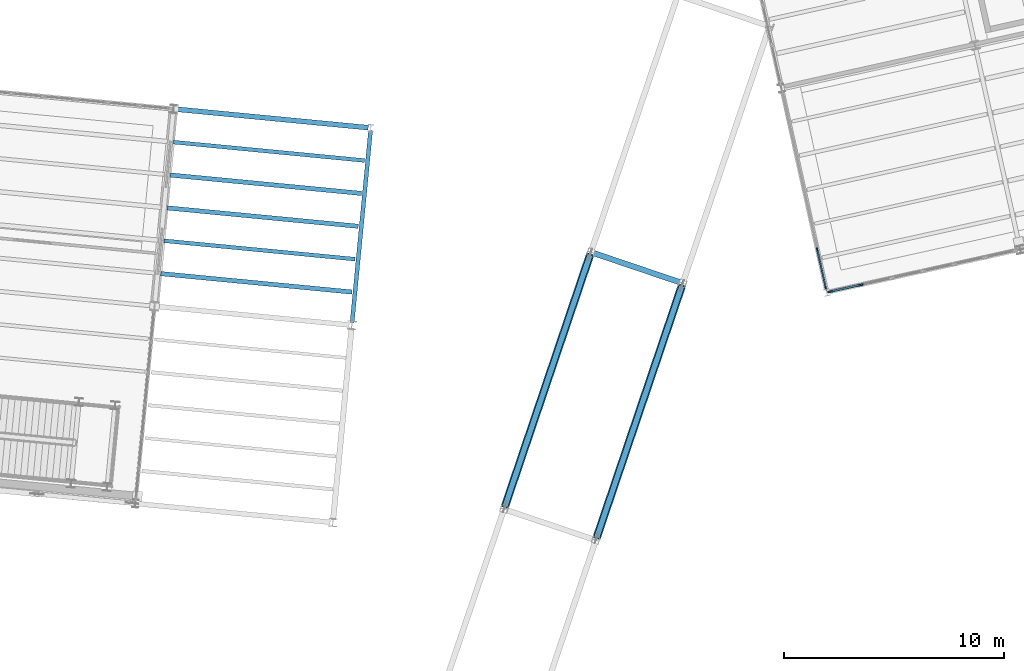
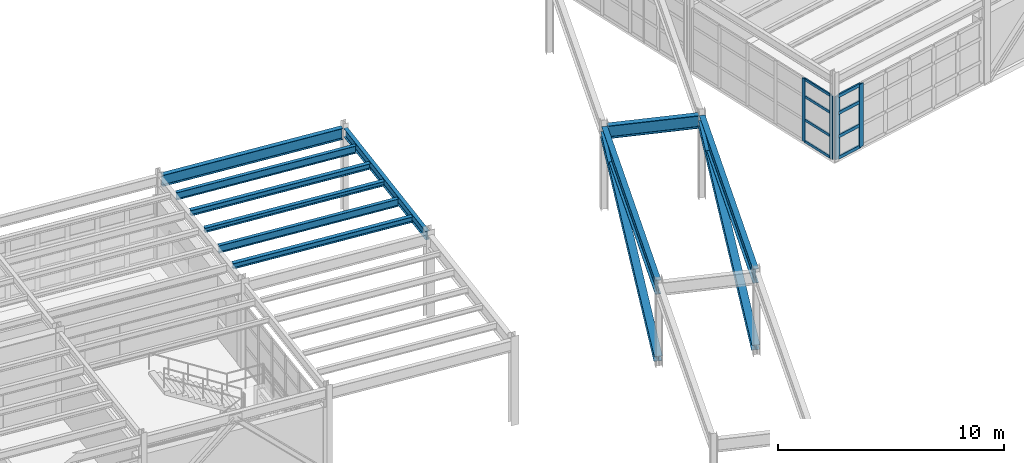
# One storey, part 50 of 109: 14 members, 10 beams, 2 elements without a shape of their own.
"""IFC4 building model written with IfcOpenShell, lengths in metres."""

from ifc_helpers import new_model, si_unit, direction, frame, origin, origin_2d, place, context, subcontext, project, spatial, rectangle, i_section, extrude, material, layer, layer_set, material_profile, profile_set, type_object, element, aggregate, save


model = new_model("IFC4")

# Units and contexts
model_context = context("Model", 3, precision=1e-05, world=origin(), true_north=direction((0.0, 1.0)))
body_context = subcontext(model_context, "Body", "Model", "MODEL_VIEW")
ifc_project = project(units=[si_unit("LENGTHUNIT", "METRE"), si_unit("AREAUNIT", "SQUARE_METRE"), si_unit("VOLUMEUNIT", "CUBIC_METRE"), si_unit("PLANEANGLEUNIT", "RADIAN"), si_unit("MASSUNIT", "GRAM", prefix="KILO")], contexts=[model_context])

# Site, building, storey
site_placement = place(None, origin())
site = spatial("IfcSite", under=ifc_project, at=site_placement, CompositionType="ELEMENT")
building_placement = place(site_placement, origin())
building = spatial("IfcBuilding", under=site, at=building_placement, Name="Vireo Bluff Cable Station", CompositionType="ELEMENT")
storey_placement = place(building_placement, frame((0.0, 0.0, 4.800048828125)))
storey = spatial("IfcBuildingStorey", under=building, at=storey_placement, Name="L01", CompositionType="ELEMENT", Elevation=4.800048828125)

# Curtain wall, members
ifc_material_1 = material(Name="Anodized Aluminium 6063-T6", Category="aluminium")
ifc_layer_1 = layer(ifc_material_1, 0.159912109375, Name="Anodized Aluminium 6063-T6")
ifc_layer_set_1 = layer_set([ifc_layer_1], Name="Anodized Aluminium 6063-T6")
curtain_wall_type_1 = type_object("IfcCurtainWallType", Name="CW-STICK-1750", PredefinedType="USERDEFINED", material=ifc_layer_set_1)
curtain_wall_1_placement = place(storey_placement, origin())
curtain_wall_1 = element("IfcCurtainWall", 1, at=curtain_wall_1_placement, inside=storey, type_object=curtain_wall_type_1, Name="V2 L01 west curtain wall CW-044", ObjectType="STICK CURTAIN WALL", PredefinedType="USERDEFINED")
ifc_material_profile_1 = material_profile(ifc_material_1, rectangle(XDim=0.06494140625, YDim=0.179931640625, at=origin_2d()), Name="ALU-M-65X180")
ifc_profile_set_1 = profile_set([ifc_material_profile_1], Name="Anodized Aluminium 6063-T6")
member_type_1 = type_object("IfcMemberType", Name="CWM-01", PredefinedType="MULLION", material=ifc_profile_set_1)
member_1_placement = place(storey_placement, frame((125.958984375, 74.18505859375, 0.0), z_axis=(0.0, 0.0, 1.0), x_axis=(-0.976296002602, -0.216439634317, 0.0)))
member_1 = element("IfcMember", 2, at=member_1_placement, type_object=member_type_1, Name="CW-044 mullion 1", PredefinedType="MULLION", context=body_context, shape_type="SweptSolid", body=[
    extrude(rectangle(XDim=0.06494140625, YDim=0.179931640625, at=origin_2d()), origin(), (0.0, 0.0, 1.0), 3.39990234375),
])
member_2_placement = place(storey_placement, frame((125.569580078125, 75.941650390625, 0.0), z_axis=(0.0, 0.0, 1.0), x_axis=(-0.976296002602, -0.216439634317, 0.0)))
member_2 = element("IfcMember", 3, at=member_2_placement, type_object=member_type_1, Name="CW-044 mullion 2", PredefinedType="MULLION", context=body_context, shape_type="SweptSolid", body=[
    extrude(rectangle(XDim=0.06494140625, YDim=0.179931640625, at=origin_2d()), origin(), (0.0, 0.0, 1.0), 3.39990234375),
])

ifc_layer_2 = layer(ifc_material_1, 0.179931640625, Name="Anodized Aluminium 6063-T6")
ifc_layer_set_2 = layer_set([ifc_layer_2], Name="Anodized Aluminium 6063-T6")
curtain_wall_type_2 = type_object("IfcCurtainWallType", Name="CW-UNIT-1500", PredefinedType="USERDEFINED", material=ifc_layer_set_2)
curtain_wall_2_placement = place(storey_placement, origin())
curtain_wall_2 = element("IfcCurtainWall", 4, at=curtain_wall_2_placement, inside=storey, type_object=curtain_wall_type_2, Name="V2 L01 south curtain wall CW-043", ObjectType="UNITISED CURTAIN WALL", PredefinedType="USERDEFINED")
ifc_material_profile_2 = material_profile(ifc_material_1, rectangle(XDim=0.080078125, YDim=0.239990234375, at=origin_2d()), Name="ALU-M-80X240")
ifc_profile_set_2 = profile_set([ifc_material_profile_2], Name="Anodized Aluminium 6063-T6")
member_type_2 = type_object("IfcMemberType", Name="CWM-04", PredefinedType="MULLION", material=ifc_profile_set_2)
member_3_placement = place(storey_placement, frame((127.5390625, 74.341064453125, 0.0), z_axis=(0.0, 0.0, 1.0), x_axis=(0.216439535726, -0.976296024459, 0.0)))
member_3 = element("IfcMember", 5, at=member_3_placement, type_object=member_type_2, Name="CW-043 mullion 6", PredefinedType="MULLION", context=body_context, shape_type="SweptSolid", body=[
    extrude(rectangle(XDim=0.080078125, YDim=0.239990234375, at=origin_2d()), origin(), (0.0, 0.0, 1.0), 3.39990234375),
])
member_4_placement = place(storey_placement, frame((126.1650390625, 74.03662109375, 0.0), z_axis=(0.0, 0.0, 1.0), x_axis=(0.216439535726, -0.976296024459, 0.0)))
member_4 = element("IfcMember", 6, at=member_4_placement, type_object=member_type_2, Name="CW-043 mullion 7", PredefinedType="MULLION", context=body_context, shape_type="SweptSolid", body=[
    extrude(rectangle(XDim=0.080078125, YDim=0.239990234375, at=origin_2d()), origin(), (0.0, 0.0, 1.0), 3.39990234375),
])

# Member
ifc_material_profile_3 = material_profile(ifc_material_1, rectangle(XDim=0.06494140625, YDim=0.139892578125, at=origin_2d()), Name="ALU-T-65X140")
ifc_profile_set_3 = profile_set([ifc_material_profile_3], Name="Anodized Aluminium 6063-T6")
member_type_3 = type_object("IfcMemberType", Name="CWT-01", PredefinedType="USERDEFINED", material=ifc_profile_set_3)
member_5_placement = place(storey_placement, frame((125.951904296875, 74.216796875, 0.032470703125), z_axis=(-0.21637889675, 0.976309465816, 0.0), x_axis=(-0.976309465816, -0.21637889675, 0.0)))
member_5 = element("IfcMember", 7, at=member_5_placement, type_object=member_type_3, Name="CW-044 transom 1.1", ObjectType="TRANSOM", PredefinedType="USERDEFINED", context=body_context, shape_type="SweptSolid", body=[
    extrude(rectangle(XDim=0.06494140625, YDim=0.139892578125, at=origin_2d()), origin(), (0.0, 0.0, 1.0), 1.734130859375),
])

member_6_placement = place(storey_placement, frame((125.951904296875, 74.216796875, 1.18994140625), z_axis=(-0.21637889675, 0.976309465816, 0.0), x_axis=(-0.976309465816, -0.21637889675, 0.0)))
member_6 = element("IfcMember", 8, at=member_6_placement, type_object=member_type_3, Name="CW-044 transom 1.2", ObjectType="TRANSOM", PredefinedType="USERDEFINED", context=body_context, shape_type="SweptSolid", body=[
    extrude(rectangle(XDim=0.06494140625, YDim=0.139892578125, at=origin_2d()), origin(), (0.0, 0.0, 1.0), 1.734130859375),
])

member_7_placement = place(storey_placement, frame((125.951904296875, 74.216796875, 2.447998046875), z_axis=(-0.21637889675, 0.976309465816, 0.0), x_axis=(-0.976309465816, -0.21637889675, 0.0)))
member_7 = element("IfcMember", 9, at=member_7_placement, type_object=member_type_3, Name="CW-044 transom 1.3", ObjectType="TRANSOM", PredefinedType="USERDEFINED", context=body_context, shape_type="SweptSolid", body=[
    extrude(rectangle(XDim=0.06494140625, YDim=0.139892578125, at=origin_2d()), origin(), (0.0, 0.0, 1.0), 1.734130859375),
])

member_8_placement = place(storey_placement, frame((125.951904296875, 74.216796875, 3.367431640625), z_axis=(-0.21637889675, 0.976309465816, 0.0), x_axis=(-0.976309465816, -0.21637889675, 0.0)))
member_8 = element("IfcMember", 10, at=member_8_placement, type_object=member_type_3, Name="CW-044 transom 1.4", ObjectType="TRANSOM", PredefinedType="USERDEFINED", context=body_context, shape_type="SweptSolid", body=[
    extrude(rectangle(XDim=0.06494140625, YDim=0.139892578125, at=origin_2d()), origin(), (0.0, 0.0, 1.0), 1.734130859375),
])

aggregate(curtain_wall_1, [member_1, member_2, member_5, member_6, member_7, member_8])

ifc_material_profile_4 = material_profile(ifc_material_1, rectangle(XDim=0.080078125, YDim=0.175048828125, at=origin_2d()), Name="ALU-T-80X175")
ifc_profile_set_4 = profile_set([ifc_material_profile_4], Name="Anodized Aluminium 6063-T6")
member_type_4 = type_object("IfcMemberType", Name="CWT-04", PredefinedType="USERDEFINED", material=ifc_profile_set_4)
member_9_placement = place(storey_placement, frame((127.5, 74.33251953125, 0.0400390625), z_axis=(-0.976286494588, -0.216482517734, 0.0), x_axis=(0.216482517734, -0.976286494588, 0.0)))
member_9 = element("IfcMember", 11, at=member_9_placement, type_object=member_type_4, Name="CW-043 transom 6.1", ObjectType="TRANSOM", PredefinedType="USERDEFINED", context=body_context, shape_type="SweptSolid", body=[
    extrude(rectangle(XDim=0.080078125, YDim=0.175048828125, at=origin_2d()), origin(), (0.0, 0.0, 1.0), 1.327392578125),
])

member_10_placement = place(storey_placement, frame((127.5, 74.33251953125, 1.18994140625), z_axis=(-0.976286494588, -0.216482517734, 0.0), x_axis=(0.216482517734, -0.976286494588, 0.0)))
member_10 = element("IfcMember", 12, at=member_10_placement, type_object=member_type_4, Name="CW-043 transom 6.2", ObjectType="TRANSOM", PredefinedType="USERDEFINED", context=body_context, shape_type="SweptSolid", body=[
    extrude(rectangle(XDim=0.080078125, YDim=0.175048828125, at=origin_2d()), origin(), (0.0, 0.0, 1.0), 1.327392578125),
])

member_11_placement = place(storey_placement, frame((127.5, 74.33251953125, 2.447998046875), z_axis=(-0.976286494588, -0.216482517734, 0.0), x_axis=(0.216482517734, -0.976286494588, 0.0)))
member_11 = element("IfcMember", 13, at=member_11_placement, type_object=member_type_4, Name="CW-043 transom 6.3", ObjectType="TRANSOM", PredefinedType="USERDEFINED", context=body_context, shape_type="SweptSolid", body=[
    extrude(rectangle(XDim=0.080078125, YDim=0.175048828125, at=origin_2d()), origin(), (0.0, 0.0, 1.0), 1.327392578125),
])

member_12_placement = place(storey_placement, frame((127.5, 74.33251953125, 3.35986328125), z_axis=(-0.976286494588, -0.216482517734, 0.0), x_axis=(0.216482517734, -0.976286494588, 0.0)))
member_12 = element("IfcMember", 14, at=member_12_placement, type_object=member_type_4, Name="CW-043 transom 6.4", ObjectType="TRANSOM", PredefinedType="USERDEFINED", context=body_context, shape_type="SweptSolid", body=[
    extrude(rectangle(XDim=0.080078125, YDim=0.175048828125, at=origin_2d()), origin(), (0.0, 0.0, 1.0), 1.327392578125),
])

aggregate(curtain_wall_2, [member_3, member_4, member_9, member_10, member_11, member_12])

# Beams
ifc_material_2 = material(Name="Steel ASTM A992 Gr. 50", Category="steel")
ifc_material_profile_5 = material_profile(ifc_material_2, i_section(OverallWidth=0.257080078125, OverallDepth=0.693115234375, WebThickness=0.014404296875, FlangeThickness=0.023681640625, FilletRadius=0.014892578125, at=origin_2d()), Name="W27X114")
ifc_profile_set_5 = profile_set([ifc_material_profile_5], Name="Steel ASTM A992 Gr. 50")
beam_type_1 = type_object("IfcBeamType", Name="EXTGIR-W27X114", PredefinedType="USERDEFINED", material=ifc_profile_set_5)
beam_1_placement = place(storey_placement, frame((119.33447265625, 74.461181640625, 4.195068359375), z_axis=(-0.947298947098, 0.320350908892, 0.0), x_axis=(-0.320350908892, -0.947298947098, 0.0)))
element("IfcBeam", 15, at=beam_1_placement, inside=storey, type_object=beam_type_1, Name="HAUL-DRIVE skybridge bent cap 3 L01", ObjectType="GIRDER", PredefinedType="USERDEFINED", context=body_context, shape_type="SweptSolid", body=[
    extrude(i_section(OverallWidth=0.257080078125, OverallDepth=0.693115234375, WebThickness=0.014404296875, FlangeThickness=0.023681640625, FilletRadius=0.014892578125, at=origin_2d()), origin(), (0.0, 0.0, 1.0), 4.135986328125),
])
ifc_material_profile_6 = material_profile(ifc_material_2, i_section(OverallWidth=0.26708984375, OverallDepth=0.77001953125, WebThickness=0.015625, FlangeThickness=0.025390625, FilletRadius=0.01611328125, at=origin_2d()), Name="W30X132")
ifc_profile_set_6 = profile_set([ifc_material_profile_6], Name="Steel ASTM A992 Gr. 50")
beam_type_2 = type_object("IfcBeamType", Name="EXTGIR-W30X132", PredefinedType="USERDEFINED", material=ifc_profile_set_6)
for number, where, z_axis, x_axis, name in (
    (16, (115.55126953125, 62.8623046875, 4.159912109375), (0.320347868719, 0.947299975196, 0.0), (-0.947299975196, 0.320347868719, 0.0), "HAUL-DRIVE skybridge floor girder 2L"),
    (17, (111.38330078125, 64.27197265625, 4.159912109375), (0.320347868719, 0.947299975196, 0.0), (-0.947299975196, 0.320347868719, 0.0), "HAUL-DRIVE skybridge floor girder 2R"),
):
    element("IfcBeam", number, at=place(storey_placement, frame(where, z_axis=z_axis, x_axis=x_axis)), inside=storey, type_object=beam_type_2, Name=name, ObjectType="GIRDER", PredefinedType="USERDEFINED", context=body_context, shape_type="SweptSolid", body=[
        extrude(i_section(OverallWidth=0.26708984375, OverallDepth=0.77001953125, WebThickness=0.015625, FlangeThickness=0.025390625, FilletRadius=0.01611328125, at=origin_2d()), origin(), (0.0, 0.0, 1.0), 12.079345703125),
    ])
ifc_material_profile_7 = material_profile(ifc_material_2, i_section(OverallWidth=0.201904296875, OverallDepth=0.2470703125, WebThickness=0.00732421875, FlangeThickness=0.010986328125, FilletRadius=0.009033203125, at=origin_2d()), Name="W10X33")
ifc_profile_set_7 = profile_set([ifc_material_profile_7], Name="Steel ASTM A992 Gr. 50")
beam_type_3 = type_object("IfcBeamType", Name="JST-W10X33", PredefinedType="JOIST", material=ifc_profile_set_7)
beam_2_placement = place(storey_placement, frame((96.047119140625, 77.840576171875, 4.41650390625), z_axis=(0.995394243516, -0.095866052256, 0.0), x_axis=(0.095866052256, 0.995394243516, 0.0)))
element("IfcBeam", 18, at=beam_2_placement, inside=storey, type_object=beam_type_3, Name="V3 L01 composite joist 694", PredefinedType="JOIST", context=body_context, shape_type="SweptSolid", body=[
    extrude(i_section(OverallWidth=0.201904296875, OverallDepth=0.2470703125, WebThickness=0.00732421875, FlangeThickness=0.010986328125, FilletRadius=0.009033203125, at=origin_2d()), origin(), (0.0, 0.0, 1.0), 8.719970703125),
])
ifc_material_profile_8 = material_profile(ifc_material_2, i_section(OverallWidth=0.202880859375, OverallDepth=0.302978515625, WebThickness=0.007568359375, FlangeThickness=0.01318359375, FilletRadius=0.010009765625, at=origin_2d()), Name="W12X40")
ifc_profile_set_8 = profile_set([ifc_material_profile_8], Name="Steel ASTM A992 Gr. 50")
beam_type_4 = type_object("IfcBeamType", Name="JST-W12X40", PredefinedType="JOIST", material=ifc_profile_set_8)
beam_3_placement = place(storey_placement, frame((95.759521484375, 74.854248046875, 4.388427734375), z_axis=(0.995397172011, -0.095835640306, 0.0), x_axis=(0.095835640306, 0.995397172011, 0.0)))
element("IfcBeam", 19, at=beam_3_placement, inside=storey, type_object=beam_type_4, Name="V3 L01 composite joist 692", PredefinedType="JOIST", context=body_context, shape_type="SweptSolid", body=[
    extrude(i_section(OverallWidth=0.202880859375, OverallDepth=0.302978515625, WebThickness=0.007568359375, FlangeThickness=0.01318359375, FilletRadius=0.010009765625, at=origin_2d()), origin(), (0.0, 0.0, 1.0), 8.719970703125),
])
beam_4_placement = place(storey_placement, frame((96.19091796875, 79.33349609375, 4.388427734375), z_axis=(0.995396914857, -0.095838311194, 0.0), x_axis=(0.095838311194, 0.995396914857, 0.0)))
element("IfcBeam", 20, at=beam_4_placement, inside=storey, type_object=beam_type_4, Name="V3 L01 composite joist 695", PredefinedType="JOIST", context=body_context, shape_type="SweptSolid", body=[
    extrude(i_section(OverallWidth=0.202880859375, OverallDepth=0.302978515625, WebThickness=0.007568359375, FlangeThickness=0.01318359375, FilletRadius=0.010009765625, at=origin_2d()), origin(), (0.0, 0.0, 1.0), 8.7197265625),
])
ifc_material_profile_9 = material_profile(ifc_material_2, i_section(OverallWidth=0.177978515625, OverallDepth=0.404052734375, WebThickness=0.007568359375, FlangeThickness=0.010986328125, FilletRadius=0.010009765625, at=origin_2d()), Name="W16X36")
ifc_profile_set_9 = profile_set([ifc_material_profile_9], Name="Steel ASTM A992 Gr. 50")
beam_type_5 = type_object("IfcBeamType", Name="JST-W16X36", PredefinedType="JOIST", material=ifc_profile_set_9)
beam_5_placement = place(storey_placement, frame((95.9033203125, 76.347412109375, 4.337890625), z_axis=(0.995397172011, -0.095835640306, 0.0), x_axis=(0.095835640306, 0.995397172011, 0.0)))
element("IfcBeam", 21, at=beam_5_placement, inside=storey, type_object=beam_type_5, Name="V3 L01 composite joist 693", PredefinedType="JOIST", context=body_context, shape_type="SweptSolid", body=[
    extrude(i_section(OverallWidth=0.177978515625, OverallDepth=0.404052734375, WebThickness=0.007568359375, FlangeThickness=0.010986328125, FilletRadius=0.010009765625, at=origin_2d()), origin(), (0.0, 0.0, 1.0), 8.719970703125),
])
beam_6_placement = place(storey_placement, frame((96.334716796875, 80.82666015625, 4.337890625), z_axis=(0.995396914857, -0.095838311194, 0.0), x_axis=(0.095838311194, 0.995396914857, 0.0)))
element("IfcBeam", 22, at=beam_6_placement, inside=storey, type_object=beam_type_5, Name="V3 L01 composite joist 696", PredefinedType="JOIST", context=body_context, shape_type="SweptSolid", body=[
    extrude(i_section(OverallWidth=0.177978515625, OverallDepth=0.404052734375, WebThickness=0.007568359375, FlangeThickness=0.010986328125, FilletRadius=0.010009765625, at=origin_2d()), origin(), (0.0, 0.0, 1.0), 8.7197265625),
])
ifc_material_profile_10 = material_profile(ifc_material_2, i_section(OverallWidth=0.19091796875, OverallDepth=0.45703125, WebThickness=0.009033203125, FlangeThickness=0.014404296875, FilletRadius=0.011962890625, at=origin_2d()), Name="W18X50")
ifc_profile_set_10 = profile_set([ifc_material_profile_10], Name="Steel ASTM A992 Gr. 50")
beam_type_6 = type_object("IfcBeamType", Name="SPN-W18X50", PredefinedType="SPANDREL", material=ifc_profile_set_10)
beam_7_placement = place(storey_placement, frame((104.446533203125, 72.63134765625, 4.3115234375), z_axis=(0.095844105487, 0.995396356957, 0.0), x_axis=(-0.995396356957, 0.095844105487, 0.0)))
element("IfcBeam", 23, at=beam_7_placement, inside=storey, type_object=beam_type_6, Name="V3 L01 spandrel 664", PredefinedType="SPANDREL", context=body_context, shape_type="SweptSolid", body=[
    extrude(i_section(OverallWidth=0.19091796875, OverallDepth=0.45703125, WebThickness=0.009033203125, FlangeThickness=0.014404296875, FilletRadius=0.011962890625, at=origin_2d()), origin(), (0.0, 0.0, 1.0), 8.760009765625),
])
ifc_material_profile_11 = material_profile(ifc_material_2, i_section(OverallWidth=0.22802734375, OverallDepth=0.60693359375, WebThickness=0.01123046875, FlangeThickness=0.017333984375, FilletRadius=0.012939453125, at=origin_2d()), Name="W24X76")
ifc_profile_set_11 = profile_set([ifc_material_profile_11], Name="Steel ASTM A992 Gr. 50")
beam_type_7 = type_object("IfcBeamType", Name="SPN-W24X76", PredefinedType="SPANDREL", material=ifc_profile_set_11)
beam_8_placement = place(storey_placement, frame((96.45849609375, 82.32177734375, 4.236572265625), z_axis=(0.995396356957, -0.095844105487, 0.0), x_axis=(0.095844105487, 0.995396356957, 0.0)))
element("IfcBeam", 24, at=beam_8_placement, inside=storey, type_object=beam_type_7, Name="V3 L01 spandrel 654", PredefinedType="SPANDREL", context=body_context, shape_type="SweptSolid", body=[
    extrude(i_section(OverallWidth=0.22802734375, OverallDepth=0.60693359375, WebThickness=0.01123046875, FlangeThickness=0.017333984375, FilletRadius=0.012939453125, at=origin_2d()), origin(), (0.0, 0.0, 1.0), 8.760009765625),
])

# Members
ifc_material_profile_12 = material_profile(ifc_material_2, i_section(OverallWidth=0.367919921875, OverallDepth=0.35595703125, WebThickness=0.01123046875, FlangeThickness=0.01806640625, FilletRadius=0.014892578125, at=origin_2d()), Name="W14X90")
ifc_profile_set_12 = profile_set([ifc_material_profile_12], Name="Steel ASTM A992 Gr. 50")
member_type_5 = type_object("IfcMemberType", Name="STR-01", PredefinedType="STRUT", material=ifc_profile_set_12)
for number, where, z_axis, x_axis, name in (
    (25, (115.55126953125, 62.8623046875, 0.300048828125), (0.305221061334, 0.902568526481, 0.303661256541), (-0.947299975196, 0.320347868719, 0.0), "HAUL-DRIVE skybridge under-deck strut 2L"),
    (26, (111.38330078125, 64.27197265625, 0.300048828125), (0.305221061334, 0.902568526481, 0.303661256541), (-0.947299975196, 0.320347868719, 0.0), "HAUL-DRIVE skybridge under-deck strut 2R"),
):
    element("IfcMember", number, at=place(storey_placement, frame(where, z_axis=z_axis, x_axis=x_axis)), inside=storey, type_object=member_type_5, Name=name, PredefinedType="STRUT", context=body_context, shape_type="SweptSolid", body=[
        extrude(i_section(OverallWidth=0.367919921875, OverallDepth=0.35595703125, WebThickness=0.01123046875, FlangeThickness=0.01806640625, FilletRadius=0.014892578125, at=origin_2d()), origin(), (0.0, 0.0, 1.0), 12.67822265625),
    ])

save(model, "model.ifc")
